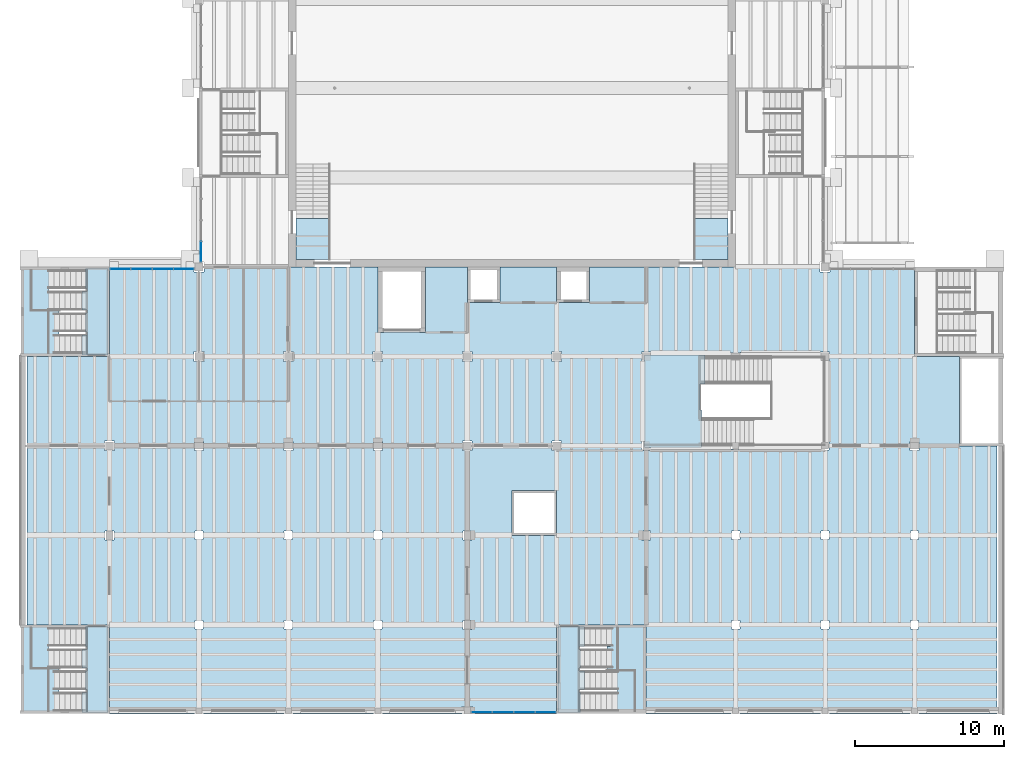
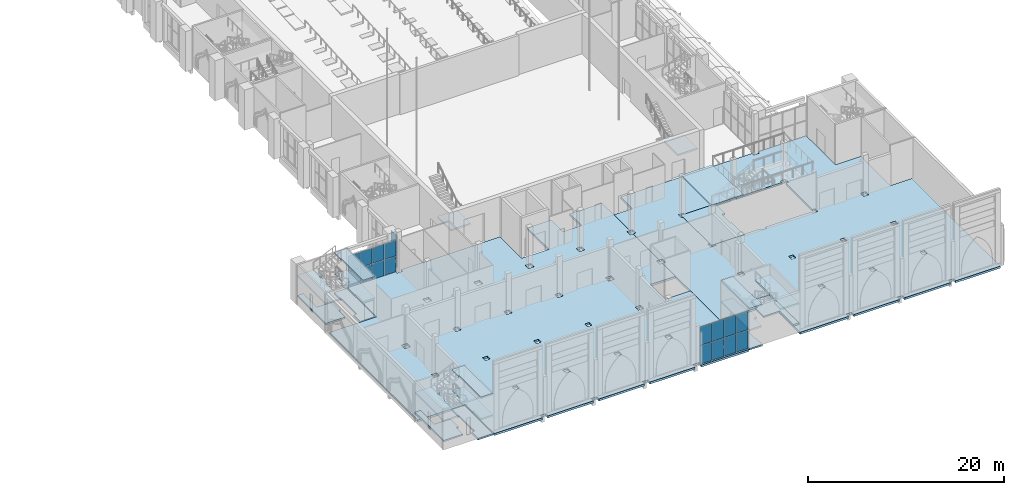
# One storey, part 29 of 80: 21 slabs, 18 plates, 9 elements without a shape of their own.
"""IFC4 building model written with IfcOpenShell, lengths in metres."""

from ifc_helpers import new_model, si_unit, direction, frame, origin, origin_2d, place, context, subcontext, project, spatial, polyline, rectangle, outline, extrude, material, layer, layer_set, type_object, element, aggregate, save


model = new_model("IFC4")

# Units and contexts
model_context = context("Model", 3, precision=1e-05, world=origin(), true_north=direction((0.0, 1.0)))
body_context = subcontext(model_context, "Body", "Model", "MODEL_VIEW")
ifc_project = project(units=[si_unit("LENGTHUNIT", "METRE"), si_unit("AREAUNIT", "SQUARE_METRE"), si_unit("VOLUMEUNIT", "CUBIC_METRE"), si_unit("PLANEANGLEUNIT", "RADIAN"), si_unit("MASSUNIT", "GRAM", prefix="KILO")], contexts=[model_context])

# Site, building, storey
site_placement = place(None, origin())
site = spatial("IfcSite", under=ifc_project, at=site_placement, CompositionType="ELEMENT")
building_placement = place(site_placement, origin())
building = spatial("IfcBuilding", under=site, at=building_placement, Name="Saffron Lane Theatres", CompositionType="ELEMENT")
storey_placement = place(building_placement, frame((0.0, 0.0, 7.0)))
storey = spatial("IfcBuildingStorey", under=building, at=storey_placement, Name="L01", CompositionType="ELEMENT", Elevation=7.0)

# Curtain wall, plates
ifc_material_1 = material(Name="Aluminium", Category="aluminium")
curtain_wall_type_1 = type_object("IfcCurtainWallType", Name="EX-CURTAIN WALL 5720x4050x160", PredefinedType="NOTDEFINED", material=ifc_material_1)
curtain_wall_1_placement = place(storey_placement, origin())
curtain_wall_1 = element("IfcCurtainWall", 1, at=curtain_wall_1_placement, inside=storey, type_object=curtain_wall_type_1, Name="Curtain wall L01 01", PredefinedType="NOTDEFINED")
ifc_material_2 = material(Name="Glass", Category="glass")
ifc_layer_1 = layer(ifc_material_2, 0.028076171875)
ifc_layer_set_1 = layer_set([ifc_layer_1], Name="Glass")
plate_type = type_object("IfcPlateType", Name="EX-CW PANEL GLAZING 28", PredefinedType="CURTAIN_PANEL", material=ifc_layer_set_1)
plate_1_placement = place(storey_placement, frame((6.730712890625, 29.8701171875, 0.06005859375), z_axis=(0.0, 0.0, 1.0), x_axis=(1.0, 0.0, 0.0)))
plate_1 = element("IfcPlate", 2, at=plate_1_placement, type_object=plate_type, Name="CW-01-01 panel 1.1", PredefinedType="CURTAIN_PANEL", context=body_context, shape_type="SweptSolid", body=[
    extrude(rectangle(XDim=1.34130859375, YDim=0.028076171875, at=origin_2d()), origin(), (0.0, 0.0, 1.0), 1.934814453125),
])
plate_2_placement = place(storey_placement, frame((6.730712890625, 29.8701171875, 2.054931640625), z_axis=(0.0, 0.0, 1.0), x_axis=(1.0, 0.0, 0.0)))
plate_2 = element("IfcPlate", 3, at=plate_2_placement, type_object=plate_type, Name="CW-01-01 panel 1.2", PredefinedType="CURTAIN_PANEL", context=body_context, shape_type="SweptSolid", body=[
    extrude(rectangle(XDim=1.34130859375, YDim=0.028076171875, at=origin_2d()), origin(), (0.0, 0.0, 1.0), 1.93505859375),
])
plate_3_placement = place(storey_placement, frame((8.14697265625, 29.8701171875, 0.06005859375), z_axis=(0.0, 0.0, 1.0), x_axis=(1.0, 0.0, 0.0)))
plate_3 = element("IfcPlate", 4, at=plate_3_placement, type_object=plate_type, Name="CW-01-01 panel 2.1", PredefinedType="CURTAIN_PANEL", context=body_context, shape_type="SweptSolid", body=[
    extrude(rectangle(XDim=1.371337890625, YDim=0.028076171875, at=origin_2d()), origin(), (0.0, 0.0, 1.0), 1.934814453125),
])
plate_4_placement = place(storey_placement, frame((8.14697265625, 29.8701171875, 2.054931640625), z_axis=(0.0, 0.0, 1.0), x_axis=(1.0, 0.0, 0.0)))
plate_4 = element("IfcPlate", 5, at=plate_4_placement, type_object=plate_type, Name="CW-01-01 panel 2.2", PredefinedType="CURTAIN_PANEL", context=body_context, shape_type="SweptSolid", body=[
    extrude(rectangle(XDim=1.371337890625, YDim=0.028076171875, at=origin_2d()), origin(), (0.0, 0.0, 1.0), 1.93505859375),
])
plate_5_placement = place(storey_placement, frame((9.578125, 29.8701171875, 0.06005859375), z_axis=(0.0, 0.0, 1.0), x_axis=(1.0, 0.0, 0.0)))
plate_5 = element("IfcPlate", 6, at=plate_5_placement, type_object=plate_type, Name="CW-01-01 panel 3.1", PredefinedType="CURTAIN_PANEL", context=body_context, shape_type="SweptSolid", body=[
    extrude(rectangle(XDim=1.371337890625, YDim=0.028076171875, at=origin_2d()), origin(), (0.0, 0.0, 1.0), 1.934814453125),
])
plate_6_placement = place(storey_placement, frame((9.578125, 29.8701171875, 2.054931640625), z_axis=(0.0, 0.0, 1.0), x_axis=(1.0, 0.0, 0.0)))
plate_6 = element("IfcPlate", 7, at=plate_6_placement, type_object=plate_type, Name="CW-01-01 panel 3.2", PredefinedType="CURTAIN_PANEL", context=body_context, shape_type="SweptSolid", body=[
    extrude(rectangle(XDim=1.371337890625, YDim=0.028076171875, at=origin_2d()), origin(), (0.0, 0.0, 1.0), 1.93505859375),
])
plate_7_placement = place(storey_placement, frame((10.994384765625, 29.8701171875, 0.06005859375), z_axis=(0.0, 0.0, 1.0), x_axis=(1.0, 0.0, 0.0)))
plate_7 = element("IfcPlate", 8, at=plate_7_placement, type_object=plate_type, Name="CW-01-01 panel 4.1", PredefinedType="CURTAIN_PANEL", context=body_context, shape_type="SweptSolid", body=[
    extrude(rectangle(XDim=1.34130859375, YDim=0.028076171875, at=origin_2d()), origin(), (0.0, 0.0, 1.0), 1.934814453125),
])
plate_8_placement = place(storey_placement, frame((10.994384765625, 29.8701171875, 2.054931640625), z_axis=(0.0, 0.0, 1.0), x_axis=(1.0, 0.0, 0.0)))
plate_8 = element("IfcPlate", 9, at=plate_8_placement, type_object=plate_type, Name="CW-01-01 panel 4.2", PredefinedType="CURTAIN_PANEL", context=body_context, shape_type="SweptSolid", body=[
    extrude(rectangle(XDim=1.34130859375, YDim=0.028076171875, at=origin_2d()), origin(), (0.0, 0.0, 1.0), 1.93505859375),
])
aggregate(curtain_wall_1, [plate_1, plate_2, plate_3, plate_4, plate_5, plate_6, plate_7, plate_8])

ifc_material_3 = material(Name="Aluminium", Category="aluminium")
curtain_wall_type_2 = type_object("IfcCurtainWallType", Name="EX-CURTAIN WALL 5730x4050x160", PredefinedType="NOTDEFINED", material=ifc_material_3)
curtain_wall_2_placement = place(storey_placement, origin())
curtain_wall_2 = element("IfcCurtainWall", 10, at=curtain_wall_2_placement, inside=storey, type_object=curtain_wall_type_2, Name="Curtain wall L01 02", PredefinedType="NOTDEFINED")
plate_9_placement = place(storey_placement, frame((12.1298828125, 31.005615234375, 0.06005859375), z_axis=(0.0, 0.0, 1.0), x_axis=(0.0, 1.0, 0.0)))
plate_9 = element("IfcPlate", 11, at=plate_9_placement, type_object=plate_type, Name="CW-01-02 panel 1.1", PredefinedType="CURTAIN_PANEL", context=body_context, shape_type="SweptSolid", body=[
    extrude(rectangle(XDim=1.34130859375, YDim=0.028076171875, at=origin_2d()), origin(), (0.0, 0.0, 1.0), 1.934814453125),
])
plate_10_placement = place(storey_placement, frame((12.1298828125, 31.005615234375, 2.054931640625), z_axis=(0.0, 0.0, 1.0), x_axis=(0.0, 1.0, 0.0)))
plate_10 = element("IfcPlate", 12, at=plate_10_placement, type_object=plate_type, Name="CW-01-02 panel 1.2", PredefinedType="CURTAIN_PANEL", context=body_context, shape_type="SweptSolid", body=[
    extrude(rectangle(XDim=1.34130859375, YDim=0.028076171875, at=origin_2d()), origin(), (0.0, 0.0, 1.0), 1.93505859375),
])
aggregate(curtain_wall_2, [plate_9, plate_10])

ifc_material_4 = material(Name="Aluminium", Category="aluminium")
curtain_wall_type_3 = type_object("IfcCurtainWallType", Name="EX-CURTAIN WALL 5770x4750x160", PredefinedType="NOTDEFINED", material=ifc_material_4)
curtain_wall_3_placement = place(storey_placement, origin())
curtain_wall_3 = element("IfcCurtainWall", 13, at=curtain_wall_3_placement, inside=storey, type_object=curtain_wall_type_3, Name="Curtain wall L01 17", PredefinedType="NOTDEFINED")
plate_11_placement = place(storey_placement, frame((35.26318359375, 0.1298828125, 0.06005859375), z_axis=(0.0, 0.0, 1.0), x_axis=(-1.0, 0.0, 0.0)))
plate_11 = element("IfcPlate", 14, at=plate_11_placement, type_object=plate_type, Name="CW-01-17 panel 1.1", PredefinedType="CURTAIN_PANEL", context=body_context, shape_type="SweptSolid", body=[
    extrude(rectangle(XDim=1.353759765625, YDim=0.028076171875, at=origin_2d()), origin(), (0.0, 0.0, 1.0), 2.284912109375),
])
plate_12_placement = place(storey_placement, frame((35.26318359375, 0.1298828125, 2.4052734375), z_axis=(0.0, 0.0, 1.0), x_axis=(-1.0, 0.0, 0.0)))
plate_12 = element("IfcPlate", 15, at=plate_12_placement, type_object=plate_type, Name="CW-01-17 panel 1.2", PredefinedType="CURTAIN_PANEL", context=body_context, shape_type="SweptSolid", body=[
    extrude(rectangle(XDim=1.353759765625, YDim=0.028076171875, at=origin_2d()), origin(), (0.0, 0.0, 1.0), 2.284912109375),
])
plate_13_placement = place(storey_placement, frame((33.83447265625, 0.1298828125, 0.06005859375), z_axis=(0.0, 0.0, 1.0), x_axis=(-1.0, 0.0, 0.0)))
plate_13 = element("IfcPlate", 16, at=plate_13_placement, type_object=plate_type, Name="CW-01-17 panel 2.1", PredefinedType="CURTAIN_PANEL", context=body_context, shape_type="SweptSolid", body=[
    extrude(rectangle(XDim=1.3837890625, YDim=0.028076171875, at=origin_2d()), origin(), (0.0, 0.0, 1.0), 2.284912109375),
])
plate_14_placement = place(storey_placement, frame((33.83447265625, 0.1298828125, 2.4052734375), z_axis=(0.0, 0.0, 1.0), x_axis=(-1.0, 0.0, 0.0)))
plate_14 = element("IfcPlate", 17, at=plate_14_placement, type_object=plate_type, Name="CW-01-17 panel 2.2", PredefinedType="CURTAIN_PANEL", context=body_context, shape_type="SweptSolid", body=[
    extrude(rectangle(XDim=1.3837890625, YDim=0.028076171875, at=origin_2d()), origin(), (0.0, 0.0, 1.0), 2.284912109375),
])
plate_15_placement = place(storey_placement, frame((32.390625, 0.1298828125, 0.06005859375), z_axis=(0.0, 0.0, 1.0), x_axis=(-1.0, 0.0, 0.0)))
plate_15 = element("IfcPlate", 18, at=plate_15_placement, type_object=plate_type, Name="CW-01-17 panel 3.1", PredefinedType="CURTAIN_PANEL", context=body_context, shape_type="SweptSolid", body=[
    extrude(rectangle(XDim=1.3837890625, YDim=0.028076171875, at=origin_2d()), origin(), (0.0, 0.0, 1.0), 2.284912109375),
])
plate_16_placement = place(storey_placement, frame((32.390625, 0.1298828125, 2.4052734375), z_axis=(0.0, 0.0, 1.0), x_axis=(-1.0, 0.0, 0.0)))
plate_16 = element("IfcPlate", 19, at=plate_16_placement, type_object=plate_type, Name="CW-01-17 panel 3.2", PredefinedType="CURTAIN_PANEL", context=body_context, shape_type="SweptSolid", body=[
    extrude(rectangle(XDim=1.3837890625, YDim=0.028076171875, at=origin_2d()), origin(), (0.0, 0.0, 1.0), 2.284912109375),
])
plate_17_placement = place(storey_placement, frame((30.9619140625, 0.1298828125, 0.06005859375), z_axis=(0.0, 0.0, 1.0), x_axis=(-1.0, 0.0, 0.0)))
plate_17 = element("IfcPlate", 20, at=plate_17_placement, type_object=plate_type, Name="CW-01-17 panel 4.1", PredefinedType="CURTAIN_PANEL", context=body_context, shape_type="SweptSolid", body=[
    extrude(rectangle(XDim=1.353759765625, YDim=0.028076171875, at=origin_2d()), origin(), (0.0, 0.0, 1.0), 2.284912109375),
])
plate_18_placement = place(storey_placement, frame((30.9619140625, 0.1298828125, 2.4052734375), z_axis=(0.0, 0.0, 1.0), x_axis=(-1.0, 0.0, 0.0)))
plate_18 = element("IfcPlate", 21, at=plate_18_placement, type_object=plate_type, Name="CW-01-17 panel 4.2", PredefinedType="CURTAIN_PANEL", context=body_context, shape_type="SweptSolid", body=[
    extrude(rectangle(XDim=1.353759765625, YDim=0.028076171875, at=origin_2d()), origin(), (0.0, 0.0, 1.0), 2.284912109375),
])
aggregate(curtain_wall_3, [plate_11, plate_12, plate_13, plate_14, plate_15, plate_16, plate_17, plate_18])

# Slabs
ifc_material_5 = material(Name="Concrete N40 (40 MPa)", Category="concrete")
ifc_layer_2 = layer(ifc_material_5, 0.25)
ifc_layer_set_2 = layer_set([ifc_layer_2], Name="Concrete N40 (40 MPa)")
slab_type_1 = type_object("IfcSlabType", Name="RC-SLAB FLOOR 250", PredefinedType="FLOOR", material=ifc_layer_set_2)
slab_1_placement = place(storey_placement, frame((0.0, 0.0, -0.25)))
element("IfcSlab", 22, at=slab_1_placement, inside=storey, type_object=slab_type_1, Name="slab-L01-STUDIO", PredefinedType="FLOOR", context=body_context, shape_type="SweptSolid", body=[
    extrude(outline(polyline([(60.0, 24.0), (60.0, 30.0), (54.326904296875, 30.0), (54.326904296875, 29.673095703125), (53.673095703125, 29.673095703125), (53.673095703125, 30.0), (48.0, 30.0), (47.5, 30.0), (38.199951171875, 30.0), (38.199951171875, 27.60009765625), (36.0, 27.60009765625), (36.0, 24.326904296875), (36.326904296875, 24.326904296875), (36.326904296875, 23.673095703125), (36.0, 23.673095703125), (36.0, 18.326904296875), (36.326904296875, 18.326904296875), (36.326904296875, 17.673095703125), (36.0, 17.673095703125), (36.0, 15.0), (36.0, 12.0), (36.0, 6.0), (42.0, 6.0), (42.0, 0.00048828125), (47.697998046875, 0.00048828125), (47.697998046875, 0.452392578125), (48.302001953125, 0.452392578125), (48.302001953125, 0.00048828125), (53.697998046875, 0.00048828125), (53.697998046875, 0.452392578125), (54.302001953125, 0.452392578125), (54.302001953125, 0.00048828125), (59.697998046875, 0.00048828125), (59.697998046875, 0.452392578125), (60.302001953125, 0.452392578125), (60.302001953125, 0.00048828125), (65.5400390625, 0.00048828125), (65.5400390625, 18.0), (63.0, 18.0), (63.0, 24.0), (60.0, 24.0)]), holes=[polyline([(60.302001953125, 17.697998046875), (59.697998046875, 17.697998046875), (59.697998046875, 18.302001953125), (60.302001953125, 18.302001953125), (60.302001953125, 17.697998046875)]), polyline([(59.722900390625, 5.722900390625), (59.722900390625, 6.277099609375), (60.277099609375, 6.277099609375), (60.277099609375, 5.722900390625), (59.722900390625, 5.722900390625)]), polyline([(59.722900390625, 11.722900390625), (59.722900390625, 12.277099609375), (60.277099609375, 12.277099609375), (60.277099609375, 11.722900390625), (59.722900390625, 11.722900390625)]), polyline([(47.697998046875, 17.77294921875), (47.697998046875, 18.0), (42.302001953125, 18.0), (42.302001953125, 17.697998046875), (41.697998046875, 17.697998046875), (41.697998046875, 18.302001953125), (42.0, 18.302001953125), (42.0, 23.697998046875), (41.697998046875, 23.697998046875), (41.697998046875, 24.302001953125), (42.302001953125, 24.302001953125), (42.302001953125, 24.0), (47.64794921875, 24.0), (47.64794921875, 24.251953125), (48.35205078125, 24.251953125), (48.35205078125, 24.0), (53.697998046875, 24.0), (53.697998046875, 24.302001953125), (54.302001953125, 24.302001953125), (54.302001953125, 23.697998046875), (54.0, 23.697998046875), (54.0, 18.277099609375), (54.277099609375, 18.277099609375), (54.277099609375, 17.722900390625), (53.722900390625, 17.722900390625), (53.722900390625, 18.0), (48.302001953125, 18.0), (48.302001953125, 17.77294921875), (47.697998046875, 17.77294921875)]), polyline([(53.722900390625, 5.722900390625), (53.722900390625, 6.277099609375), (54.277099609375, 6.277099609375), (54.277099609375, 5.722900390625), (53.722900390625, 5.722900390625)]), polyline([(53.722900390625, 11.722900390625), (53.722900390625, 12.277099609375), (54.277099609375, 12.277099609375), (54.277099609375, 11.722900390625), (53.722900390625, 11.722900390625)]), polyline([(47.722900390625, 5.722900390625), (47.722900390625, 6.277099609375), (48.277099609375, 6.277099609375), (48.277099609375, 5.722900390625), (47.722900390625, 5.722900390625)]), polyline([(47.722900390625, 11.722900390625), (47.722900390625, 12.277099609375), (48.277099609375, 12.277099609375), (48.277099609375, 11.722900390625), (47.722900390625, 11.722900390625)]), polyline([(41.697998046875, 11.697998046875), (41.697998046875, 12.302001953125), (42.302001953125, 12.302001953125), (42.302001953125, 11.697998046875), (41.697998046875, 11.697998046875)])]), origin(), (0.0, 0.0, 1.0), 0.25),
])
slab_2_placement = place(storey_placement, frame((0.0, 0.0, -0.25)))
element("IfcSlab", 23, at=slab_2_placement, inside=storey, type_object=slab_type_1, Name="slab-L01-WORKSHOP", PredefinedType="FLOOR", context=body_context, shape_type="SweptSolid", body=[
    extrude(outline(polyline([(30.35205078125, 0.50244140625), (30.35205078125, 0.00048828125), (36.0, 0.00048828125), (36.0, 6.0), (36.0, 12.0), (33.0, 12.0), (33.0, 15.0), (36.0, 15.0), (36.0, 17.673095703125), (35.673095703125, 17.673095703125), (35.673095703125, 18.326904296875), (36.0, 18.326904296875), (36.0, 23.673095703125), (35.673095703125, 23.673095703125), (35.673095703125, 24.326904296875), (36.0, 24.326904296875), (36.0, 27.60009765625), (36.0, 30.0), (32.199951171875, 30.0), (32.199951171875, 27.60009765625), (30.0, 27.60009765625), (30.0, 30.0), (27.199951171875, 30.0), (27.199951171875, 25.60009765625), (24.0, 25.60009765625), (24.0, 30.0), (18.5, 30.0), (18.0, 30.0), (12.326904296875, 30.0), (12.326904296875, 29.673095703125), (11.673095703125, 29.673095703125), (11.673095703125, 30.0), (6.0, 30.0), (6.0, 24.0), (0.4599609375, 24.0), (0.4599609375, 6.0), (6.0, 6.0), (6.0, 0.00048828125), (11.697998046875, 0.00048828125), (11.697998046875, 0.452392578125), (12.302001953125, 0.452392578125), (12.302001953125, 0.00048828125), (17.697998046875, 0.00048828125), (17.697998046875, 0.452392578125), (18.302001953125, 0.452392578125), (18.302001953125, 0.00048828125), (23.697998046875, 0.00048828125), (23.697998046875, 0.452392578125), (24.302001953125, 0.452392578125), (24.302001953125, 0.00048828125), (29.64794921875, 0.00048828125), (29.64794921875, 0.50244140625), (30.35205078125, 0.50244140625)]), holes=[polyline([(29.673095703125, 23.673095703125), (29.673095703125, 24.326904296875), (30.326904296875, 24.326904296875), (30.326904296875, 23.673095703125), (29.673095703125, 23.673095703125)]), polyline([(29.673095703125, 17.673095703125), (29.673095703125, 18.326904296875), (30.326904296875, 18.326904296875), (30.326904296875, 17.673095703125), (29.673095703125, 17.673095703125)]), polyline([(30.302001953125, 11.697998046875), (29.697998046875, 11.697998046875), (29.697998046875, 12.302001953125), (30.302001953125, 12.302001953125), (30.302001953125, 11.697998046875)]), polyline([(29.697998046875, 5.697998046875), (29.697998046875, 6.302001953125), (30.302001953125, 6.302001953125), (30.302001953125, 5.697998046875), (29.697998046875, 5.697998046875)]), polyline([(23.673095703125, 23.673095703125), (23.673095703125, 24.326904296875), (24.326904296875, 24.326904296875), (24.326904296875, 23.673095703125), (23.673095703125, 23.673095703125)]), polyline([(23.697998046875, 17.697998046875), (23.697998046875, 18.302001953125), (24.302001953125, 18.302001953125), (24.302001953125, 17.697998046875), (23.697998046875, 17.697998046875)]), polyline([(23.722900390625, 11.722900390625), (23.722900390625, 12.277099609375), (24.277099609375, 12.277099609375), (24.277099609375, 11.722900390625), (23.722900390625, 11.722900390625)]), polyline([(23.722900390625, 5.722900390625), (23.722900390625, 6.277099609375), (24.277099609375, 6.277099609375), (24.277099609375, 5.722900390625), (23.722900390625, 5.722900390625)]), polyline([(17.673095703125, 23.673095703125), (17.673095703125, 24.326904296875), (18.326904296875, 24.326904296875), (18.326904296875, 23.673095703125), (17.673095703125, 23.673095703125)]), polyline([(18.302001953125, 17.697998046875), (17.697998046875, 17.697998046875), (17.697998046875, 18.302001953125), (18.302001953125, 18.302001953125), (18.302001953125, 17.697998046875)]), polyline([(17.722900390625, 11.722900390625), (17.722900390625, 12.277099609375), (18.277099609375, 12.277099609375), (18.277099609375, 11.722900390625), (17.722900390625, 11.722900390625)]), polyline([(17.722900390625, 5.722900390625), (17.722900390625, 6.277099609375), (18.277099609375, 6.277099609375), (18.277099609375, 5.722900390625), (17.722900390625, 5.722900390625)]), polyline([(11.673095703125, 23.673095703125), (11.673095703125, 24.326904296875), (12.326904296875, 24.326904296875), (12.326904296875, 23.673095703125), (11.673095703125, 23.673095703125)]), polyline([(11.697998046875, 17.697998046875), (11.697998046875, 18.302001953125), (12.302001953125, 18.302001953125), (12.302001953125, 17.697998046875), (11.697998046875, 17.697998046875)]), polyline([(11.722900390625, 11.722900390625), (11.722900390625, 12.277099609375), (12.277099609375, 12.277099609375), (12.277099609375, 11.722900390625), (11.722900390625, 11.722900390625)]), polyline([(11.722900390625, 5.722900390625), (11.722900390625, 6.277099609375), (12.277099609375, 6.277099609375), (12.277099609375, 5.722900390625), (11.722900390625, 5.722900390625)]), polyline([(5.673095703125, 17.673095703125), (5.673095703125, 18.326904296875), (6.326904296875, 18.326904296875), (6.326904296875, 17.673095703125), (5.673095703125, 17.673095703125)]), polyline([(5.697998046875, 11.697998046875), (5.697998046875, 12.302001953125), (6.302001953125, 12.302001953125), (6.302001953125, 11.697998046875), (5.697998046875, 11.697998046875)])]), origin(), (0.0, 0.0, 1.0), 0.25),
])

# Stair, slab
ifc_material_6 = material(Name="Steel Grade 350 stair", Category="steel")
stair_type_1 = type_object("IfcStairType", Name="ST-STEEL STAIR", PredefinedType="HALF_TURN_STAIR", material=ifc_material_6)
stair_1_placement = place(storey_placement, origin())
stair_1 = element("IfcStair", 24, at=stair_1_placement, inside=storey, type_object=stair_type_1, Name="STG1", PredefinedType="HALF_TURN_STAIR")
ifc_material_7 = material(Name="Steel Grade 350 chequer plate", Category="steel")
ifc_layer_3 = layer(ifc_material_7, 0.35009765625)
ifc_layer_set_3 = layer_set([ifc_layer_3], Name="Steel Grade 350 chequer plate")
slab_type_2 = type_object("IfcSlabType", Name="ST-STAIR LANDING", PredefinedType="LANDING", material=ifc_layer_set_3)
slab_3_placement = place(storey_placement, frame((0.0, 0.0, 2.300048828125)))
slab_3 = element("IfcSlab", 25, at=slab_3_placement, type_object=slab_type_2, Name="STG1 landing 1", PredefinedType="LANDING", context=body_context, shape_type="SweptSolid", body=[
    extrude(outline(polyline([(18.5, 30.5), (20.800048828125, 30.5), (20.800048828125, 33.260009765625), (18.5, 33.260009765625), (18.5, 30.5)])), origin(), (0.0, 0.0, 1.0), 0.199951171875),
])
aggregate(stair_1, [slab_3])

stair_2_placement = place(storey_placement, origin())
stair_2 = element("IfcStair", 26, at=stair_2_placement, inside=storey, type_object=stair_type_1, Name="STG4", PredefinedType="HALF_TURN_STAIR")
slab_4_placement = place(storey_placement, frame((0.0, 0.0, 2.300048828125)))
slab_4 = element("IfcSlab", 27, at=slab_4_placement, type_object=slab_type_2, Name="STG4 landing 1", PredefinedType="LANDING", context=body_context, shape_type="SweptSolid", body=[
    extrude(outline(polyline([(45.199951171875, 30.5), (47.5, 30.5), (47.5, 33.260009765625), (45.199951171875, 33.260009765625), (45.199951171875, 30.5)])), origin(), (0.0, 0.0, 1.0), 0.199951171875),
])
aggregate(stair_2, [slab_4])

# Stair, slabs
ifc_material_8 = material(Name="Concrete N40 (40 MPa)", Category="concrete")
stair_type_2 = type_object("IfcStairType", Name="VC-STAIR EXIT", PredefinedType="TWO_STRAIGHT_RUN_STAIR", material=ifc_material_8)
stair_3_placement = place(storey_placement, origin())
stair_3 = element("IfcStair", 28, at=stair_3_placement, inside=storey, type_object=stair_type_2, Name="Workshop South West Stair L01 to L02", PredefinedType="TWO_STRAIGHT_RUN_STAIR")
ifc_material_9 = material(Name="Concrete N40 (40 MPa)", Category="concrete")
ifc_layer_4 = layer(ifc_material_9, 0.199951171875)
ifc_layer_set_4 = layer_set([ifc_layer_4], Name="Concrete N40 (40 MPa)")
slab_type_3 = type_object("IfcSlabType", Name="VC-LANDING 200", PredefinedType="LANDING", material=ifc_layer_set_4)
slab_5_placement = place(storey_placement, frame((0.0, 0.0, -0.199951171875)))
slab_5 = element("IfcSlab", 29, at=slab_5_placement, type_object=slab_type_3, Name="ST26 landing 1", PredefinedType="LANDING", context=body_context, shape_type="SweptSolid", body=[
    extrude(outline(polyline([(5.89990234375, 5.89990234375), (5.89990234375, 0.10009765625), (4.14990234375, 0.10009765625), (4.14990234375, 1.449951171875), (4.5, 1.449951171875), (4.5, 4.550048828125), (4.39990234375, 4.550048828125), (4.39990234375, 5.89990234375), (5.89990234375, 5.89990234375)])), origin(), (0.0, 0.0, 1.0), 0.199951171875),
])
slab_6_placement = place(storey_placement, frame((0.0, 0.0, 0.966552734375)))
slab_6 = element("IfcSlab", 30, at=slab_6_placement, type_object=slab_type_3, Name="ST26 landing 2", PredefinedType="LANDING", context=body_context, shape_type="SweptSolid", body=[
    extrude(outline(polyline([(2.6298828125, 3.10009765625), (2.6298828125, 1.449951171875), (2.3798828125, 1.449951171875), (2.3798828125, 0.10009765625), (0.10009765625, 0.10009765625), (0.10009765625, 5.89990234375), (0.75, 5.89990234375), (0.75, 3.10009765625), (2.6298828125, 3.10009765625)])), origin(), (0.0, 0.0, 1.0), 0.2001953125),
])
slab_7_placement = place(storey_placement, frame((0.0, 0.0, 2.13330078125)))
slab_7 = element("IfcSlab", 31, at=slab_7_placement, type_object=slab_type_3, Name="ST26 landing 3", PredefinedType="LANDING", context=body_context, shape_type="SweptSolid", body=[
    extrude(outline(polyline([(4.5, 5.89990234375), (5.89990234375, 5.89990234375), (5.89990234375, 0.10009765625), (4.5, 0.10009765625), (4.5, 1.64990234375), (4.39990234375, 1.64990234375), (4.39990234375, 2.89990234375), (4.5, 2.89990234375), (4.5, 3.10009765625), (4.14990234375, 3.10009765625), (4.14990234375, 4.35009765625), (4.5, 4.35009765625), (4.5, 5.89990234375)])), origin(), (0.0, 0.0, 1.0), 0.199951171875),
])
slab_8_placement = place(storey_placement, frame((0.0, 0.0, 3.466552734375)))
slab_8 = element("IfcSlab", 32, at=slab_8_placement, type_object=slab_type_3, Name="ST26 landing 4", PredefinedType="LANDING", context=body_context, shape_type="SweptSolid", body=[
    extrude(outline(polyline([(1.909912109375, 4.550048828125), (1.909912109375, 4.35009765625), (2.010009765625, 4.35009765625), (2.010009765625, 3.10009765625), (1.909912109375, 3.10009765625), (1.909912109375, 0.10009765625), (0.10009765625, 0.10009765625), (0.10009765625, 5.89990234375), (2.260009765625, 5.89990234375), (2.260009765625, 4.550048828125), (1.909912109375, 4.550048828125)])), origin(), (0.0, 0.0, 1.0), 0.2001953125),
])
slab_9_placement = place(storey_placement, frame((0.0, 0.0, 4.800048828125)))
slab_9 = element("IfcSlab", 33, at=slab_9_placement, type_object=slab_type_3, Name="ST26 landing 5", PredefinedType="LANDING", context=body_context, shape_type="SweptSolid", body=[
    extrude(outline(polyline([(5.89990234375, 5.89990234375), (5.89990234375, 0.10009765625), (4.5, 0.10009765625), (4.5, 4.550048828125), (4.39990234375, 4.550048828125), (4.39990234375, 5.89990234375), (5.89990234375, 5.89990234375)])), origin(), (0.0, 0.0, 1.0), 0.199951171875),
])
aggregate(stair_3, [slab_5, slab_6, slab_7, slab_8, slab_9])

stair_4_placement = place(storey_placement, origin())
stair_4 = element("IfcStair", 34, at=stair_4_placement, inside=storey, type_object=stair_type_2, Name="Studio South Stair L01 to L02", PredefinedType="TWO_STRAIGHT_RUN_STAIR")
slab_10_placement = place(storey_placement, frame((0.0, 0.0, -0.199951171875)))
slab_10 = element("IfcSlab", 35, at=slab_10_placement, type_object=slab_type_3, Name="ST28 landing 1", PredefinedType="LANDING", context=body_context, shape_type="SweptSolid", body=[
    extrude(outline(polyline([(36.10009765625, 0.10009765625), (36.10009765625, 5.89990234375), (37.85009765625, 5.89990234375), (37.85009765625, 4.550048828125), (37.5, 4.550048828125), (37.5, 1.449951171875), (37.60009765625, 1.449951171875), (37.60009765625, 0.10009765625), (36.10009765625, 0.10009765625)])), origin(), (0.0, 0.0, 1.0), 0.199951171875),
])
slab_11_placement = place(storey_placement, frame((0.0, 0.0, 0.966552734375)))
slab_11 = element("IfcSlab", 36, at=slab_11_placement, type_object=slab_type_3, Name="ST28 landing 2", PredefinedType="LANDING", context=body_context, shape_type="SweptSolid", body=[
    extrude(outline(polyline([(39.3701171875, 2.89990234375), (39.3701171875, 4.550048828125), (39.6201171875, 4.550048828125), (39.6201171875, 5.89990234375), (41.89990234375, 5.89990234375), (41.89990234375, 0.10009765625), (41.25, 0.10009765625), (41.25, 2.89990234375), (39.3701171875, 2.89990234375)])), origin(), (0.0, 0.0, 1.0), 0.2001953125),
])
slab_12_placement = place(storey_placement, frame((0.0, 0.0, 2.13330078125)))
slab_12 = element("IfcSlab", 37, at=slab_12_placement, type_object=slab_type_3, Name="ST28 landing 3", PredefinedType="LANDING", context=body_context, shape_type="SweptSolid", body=[
    extrude(outline(polyline([(37.5, 0.10009765625), (36.10009765625, 0.10009765625), (36.10009765625, 5.89990234375), (37.5, 5.89990234375), (37.5, 4.35009765625), (37.60009765625, 4.35009765625), (37.60009765625, 3.10009765625), (37.5, 3.10009765625), (37.5, 2.89990234375), (37.85009765625, 2.89990234375), (37.85009765625, 1.64990234375), (37.5, 1.64990234375), (37.5, 0.10009765625)])), origin(), (0.0, 0.0, 1.0), 0.199951171875),
])
slab_13_placement = place(storey_placement, frame((0.0, 0.0, 3.466552734375)))
slab_13 = element("IfcSlab", 38, at=slab_13_placement, type_object=slab_type_3, Name="ST28 landing 4", PredefinedType="LANDING", context=body_context, shape_type="SweptSolid", body=[
    extrude(outline(polyline([(40.090087890625, 1.449951171875), (40.090087890625, 1.64990234375), (39.989990234375, 1.64990234375), (39.989990234375, 2.89990234375), (40.090087890625, 2.89990234375), (40.090087890625, 5.89990234375), (41.89990234375, 5.89990234375), (41.89990234375, 0.10009765625), (39.739990234375, 0.10009765625), (39.739990234375, 1.449951171875), (40.090087890625, 1.449951171875)])), origin(), (0.0, 0.0, 1.0), 0.2001953125),
])
slab_14_placement = place(storey_placement, frame((0.0, 0.0, 4.800048828125)))
slab_14 = element("IfcSlab", 39, at=slab_14_placement, type_object=slab_type_3, Name="ST28 landing 5", PredefinedType="LANDING", context=body_context, shape_type="SweptSolid", body=[
    extrude(outline(polyline([(36.10009765625, 0.10009765625), (36.10009765625, 5.89990234375), (37.5, 5.89990234375), (37.5, 1.449951171875), (37.60009765625, 1.449951171875), (37.60009765625, 0.10009765625), (36.10009765625, 0.10009765625)])), origin(), (0.0, 0.0, 1.0), 0.199951171875),
])
aggregate(stair_4, [slab_10, slab_11, slab_12, slab_13, slab_14])

stair_5_placement = place(storey_placement, origin())
stair_5 = element("IfcStair", 40, at=stair_5_placement, inside=storey, type_object=stair_type_2, Name="Workshop North Stair L01 to L02", PredefinedType="TWO_STRAIGHT_RUN_STAIR")
slab_15_placement = place(storey_placement, frame((0.0, 0.0, -0.199951171875)))
slab_15 = element("IfcSlab", 41, at=slab_15_placement, type_object=slab_type_3, Name="ST30 landing 1", PredefinedType="LANDING", context=body_context, shape_type="SweptSolid", body=[
    extrude(outline(polyline([(4.5, 29.89990234375), (5.89990234375, 29.89990234375), (5.89990234375, 24.10009765625), (4.14990234375, 24.10009765625), (4.14990234375, 25.449951171875), (4.5, 25.449951171875), (4.5, 28.550048828125), (4.39990234375, 28.550048828125), (4.39990234375, 29.89990234375), (4.5, 29.89990234375), (4.5, 29.89990234375)])), origin(), (0.0, 0.0, 1.0), 0.199951171875),
])
slab_16_placement = place(storey_placement, frame((0.0, 0.0, 0.966552734375)))
slab_16 = element("IfcSlab", 42, at=slab_16_placement, type_object=slab_type_3, Name="ST30 landing 2", PredefinedType="LANDING", context=body_context, shape_type="SweptSolid", body=[
    extrude(outline(polyline([(2.6298828125, 27.10009765625), (2.6298828125, 25.449951171875), (2.3798828125, 25.449951171875), (2.3798828125, 24.10009765625), (0.10009765625, 24.10009765625), (0.10009765625, 29.89990234375), (0.75, 29.89990234375), (0.75, 27.10009765625), (2.6298828125, 27.10009765625)])), origin(), (0.0, 0.0, 1.0), 0.2001953125),
])
slab_17_placement = place(storey_placement, frame((0.0, 0.0, 2.13330078125)))
slab_17 = element("IfcSlab", 43, at=slab_17_placement, type_object=slab_type_3, Name="ST30 landing 3", PredefinedType="LANDING", context=body_context, shape_type="SweptSolid", body=[
    extrude(outline(polyline([(4.5, 29.89990234375), (5.89990234375, 29.89990234375), (5.89990234375, 24.10009765625), (4.5, 24.10009765625), (4.5, 25.64990234375), (4.39990234375, 25.64990234375), (4.39990234375, 26.89990234375), (4.5, 26.89990234375), (4.5, 27.10009765625), (4.14990234375, 27.10009765625), (4.14990234375, 28.35009765625), (4.5, 28.35009765625), (4.5, 29.89990234375)])), origin(), (0.0, 0.0, 1.0), 0.199951171875),
])
slab_18_placement = place(storey_placement, frame((0.0, 0.0, 3.466552734375)))
slab_18 = element("IfcSlab", 44, at=slab_18_placement, type_object=slab_type_3, Name="ST30 landing 4", PredefinedType="LANDING", context=body_context, shape_type="SweptSolid", body=[
    extrude(outline(polyline([(1.909912109375, 28.550048828125), (1.909912109375, 28.35009765625), (2.010009765625, 28.35009765625), (2.010009765625, 27.10009765625), (1.909912109375, 27.10009765625), (1.909912109375, 24.10009765625), (0.10009765625, 24.10009765625), (0.10009765625, 29.89990234375), (2.260009765625, 29.89990234375), (2.260009765625, 28.550048828125), (1.909912109375, 28.550048828125)])), origin(), (0.0, 0.0, 1.0), 0.2001953125),
])
slab_19_placement = place(storey_placement, frame((0.0, 0.0, 4.800048828125)))
slab_19 = element("IfcSlab", 45, at=slab_19_placement, type_object=slab_type_3, Name="ST30 landing 5", PredefinedType="LANDING", context=body_context, shape_type="SweptSolid", body=[
    extrude(outline(polyline([(4.5, 29.89990234375), (5.89990234375, 29.89990234375), (5.89990234375, 24.10009765625), (4.5, 24.10009765625), (4.5, 28.550048828125), (4.39990234375, 28.550048828125), (4.39990234375, 29.89990234375), (4.5, 29.89990234375), (4.5, 29.89990234375)])), origin(), (0.0, 0.0, 1.0), 0.199951171875),
])
aggregate(stair_5, [slab_15, slab_16, slab_17, slab_18, slab_19])

ifc_material_10 = material(Name="Concrete N40 (40 MPa)", Category="concrete")
stair_type_3 = type_object("IfcStairType", Name="VC-STAIR FOYER", PredefinedType="TWO_STRAIGHT_RUN_STAIR", material=ifc_material_10)
stair_6_placement = place(storey_placement, origin())
stair_6 = element("IfcStair", 46, at=stair_6_placement, inside=storey, type_object=stair_type_3, Name="Studio Foyer Stair L01 to L02", PredefinedType="TWO_STRAIGHT_RUN_STAIR")
slab_20_placement = place(storey_placement, frame((0.0, 0.0, -0.199951171875)))
slab_20 = element("IfcSlab", 47, at=slab_20_placement, type_object=slab_type_3, Name="ST41 landing 1", PredefinedType="LANDING", context=body_context, shape_type="SweptSolid", body=[
    extrude(outline(polyline([(41.89990234375, 17.89990234375), (41.89990234375, 24.10009765625), (45.949951171875, 24.10009765625), (45.949951171875, 22.14990234375), (45.60009765625, 22.14990234375), (45.60009765625, 20.39990234375), (45.699951171875, 20.39990234375), (45.699951171875, 17.89990234375), (41.89990234375, 17.89990234375)])), origin(), (0.0, 0.0, 1.0), 0.199951171875),
])
slab_21_placement = place(storey_placement, frame((0.0, 0.0, 4.800048828125)))
slab_21 = element("IfcSlab", 48, at=slab_21_placement, type_object=slab_type_3, Name="ST41 landing 3", PredefinedType="LANDING", context=body_context, shape_type="SweptSolid", body=[
    extrude(outline(polyline([(41.89990234375, 17.89990234375), (41.89990234375, 24.10009765625), (45.60009765625, 24.10009765625), (45.60009765625, 19.85009765625), (45.699951171875, 19.85009765625), (45.699951171875, 17.89990234375), (41.89990234375, 17.89990234375)])), origin(), (0.0, 0.0, 1.0), 0.199951171875),
])
aggregate(stair_6, [slab_20, slab_21])

save(model, "model.ifc")
